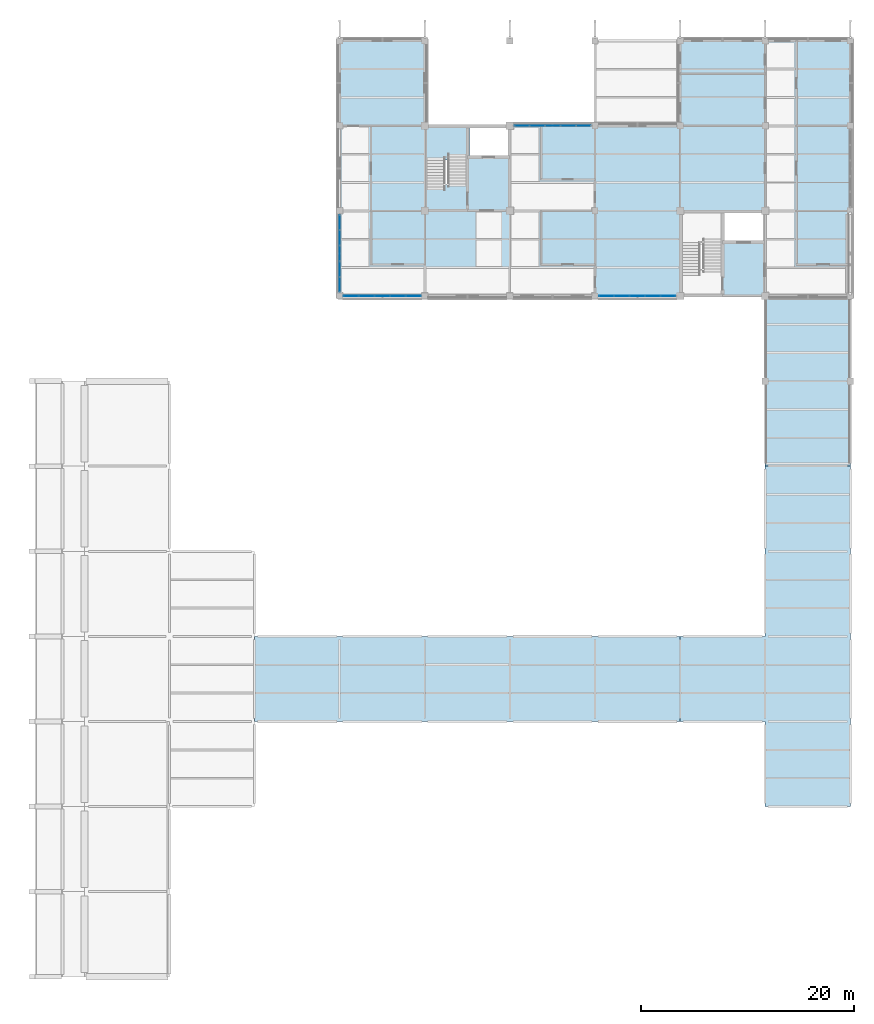
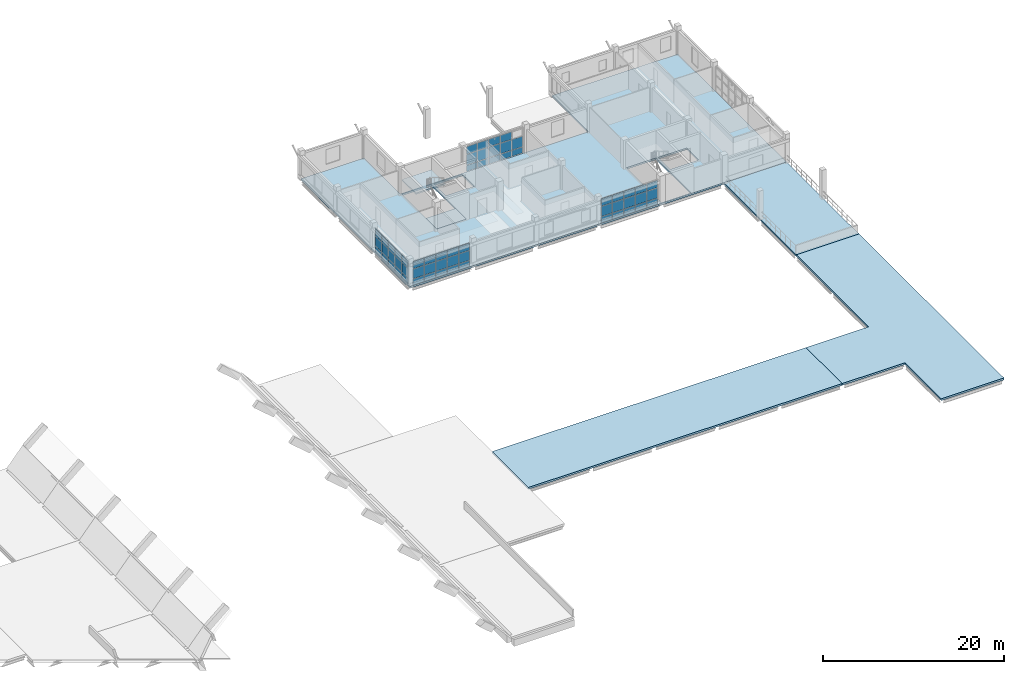
# One storey, part 17 of 35: 59 plates, 6 slabs, 5 elements without a shape of their own.
"""IFC4 building model written with IfcOpenShell, lengths in metres."""

import ifcopenshell
import ifcopenshell.guid

model = None  # the IFC model being written
_history = None  # IfcOwnerHistory: only IFC2X3 demands one
_inside = {}  # id of a spatial element -> (the spatial element, [elements in it])
_under = {}  # id of a project, library or spatial element -> (it, [spatial elements below it])
_declared = {}  # id of a project -> (the project, [libraries it declares])
_typed = {}  # id of a type object -> (the type object, [elements of that type])
_made_of = {}  # id of a material, layer set ... -> (it, [elements and type objects made of it])


def new_model(schema):
    """Start an empty IFC model of exactly this schema.

    Asked for "IFC4X3", IfcOpenShell would pick the latest addendum, in which some entities
    have other attributes; the version numbers below select the first issue.
    IFC2X3 requires an IfcOwnerHistory on every rooted entity: one is made here for all.
    """
    global model, _history
    if schema == "IFC4X3":
        model = ifcopenshell.file(schema_version=(4, 3, 0, 0))
    else:
        model = ifcopenshell.file(schema=schema)
    _inside.clear()
    _under.clear()
    _declared.clear()
    _typed.clear()
    _made_of.clear()
    _history = None
    if model.schema == "IFC2X3":
        org = make("IfcOrganization", Name="unknown")
        user = make(
            "IfcPersonAndOrganization",
            ThePerson=make("IfcPerson", FamilyName="unknown"),
            TheOrganization=org,
        )
        app = make(
            "IfcApplication",
            ApplicationDeveloper=org,
            Version="unknown",
            ApplicationFullName="unknown",
            ApplicationIdentifier="unknown",
        )
        _history = make(
            "IfcOwnerHistory",
            OwningUser=user,
            OwningApplication=app,
            ChangeAction="ADDED",
            CreationDate=0,
        )
    return model


def make(cls, **values):
    """One entity of the class cls with the attributes given. An attribute that is None is left unset."""
    return model.create_entity(
        cls, **{name: value for name, value in values.items() if value is not None}
    )


def rooted(cls, **values):
    """An entity with a GlobalId (a new one), such as an element, a storey or a relation."""
    return make(cls, GlobalId=ifcopenshell.guid.new(), OwnerHistory=_history, **values)


def si_unit(unit_type, name, prefix=None):
    """IfcSIUnit, for example si_unit("LENGTHUNIT", "METRE", prefix="MILLI")."""
    return make("IfcSIUnit", UnitType=unit_type, Prefix=prefix, Name=name)


def derived_unit(unit_type, elements):
    """IfcDerivedUnit: a product of units, each with its exponent."""
    return make(
        "IfcDerivedUnit",
        Elements=[
            make("IfcDerivedUnitElement", Unit=unit, Exponent=power)
            for unit, power in elements
        ],
        UnitType=unit_type,
    )


def assignment(units):
    """IfcUnitAssignment: the units of a project."""
    return None if units is None else make("IfcUnitAssignment", Units=units)


def point(xyz):
    """IfcCartesianPoint."""
    return None if xyz is None else make("IfcCartesianPoint", Coordinates=xyz)


def direction(xyz):
    """IfcDirection."""
    return None if xyz is None else make("IfcDirection", DirectionRatios=xyz)


def frame(location, z_axis=None, x_axis=None):
    """IfcAxis2Placement3D, a coordinate frame: its origin and axes. An axis left out is left unset."""
    return make(
        "IfcAxis2Placement3D",
        Location=point(location),
        Axis=direction(z_axis),
        RefDirection=direction(x_axis),
    )


def frame_2d(location, x_axis=None):
    """IfcAxis2Placement2D, a coordinate frame in the plane: its origin and x axis."""
    return make(
        "IfcAxis2Placement2D", Location=point(location), RefDirection=direction(x_axis)
    )


def origin():
    """The frame at (0, 0, 0) with its axes left unset."""
    return frame((0.0, 0.0, 0.0))


def origin_2d():
    """The frame at (0, 0) in the plane with its x axis left unset."""
    return frame_2d((0.0, 0.0))


def place(relative_to, where):
    """IfcLocalPlacement: puts the frame where relative to a parent placement (None: the world)."""
    return make(
        "IfcLocalPlacement", PlacementRelTo=relative_to, RelativePlacement=where
    )


def context(
    kind, dimensions, precision=None, world=None, true_north=None, identifier=None
):
    """IfcGeometricRepresentationContext, for example the 3D "Model" context."""
    return make(
        "IfcGeometricRepresentationContext",
        ContextIdentifier=identifier,
        ContextType=kind,
        CoordinateSpaceDimension=dimensions,
        Precision=precision,
        WorldCoordinateSystem=world,
        TrueNorth=true_north,
    )


def subcontext(parent, identifier, kind, view, scale=None):
    """IfcGeometricRepresentationSubContext, for example "Body" below "Model"."""
    return make(
        "IfcGeometricRepresentationSubContext",
        ContextIdentifier=identifier,
        ContextType=kind,
        ParentContext=parent,
        TargetScale=scale,
        TargetView=view,
    )


def project(units=None, contexts=None):
    """IfcProject with its units and contexts."""
    return rooted(
        "IfcProject",
        Name="project",
        RepresentationContexts=contexts,
        UnitsInContext=assignment(units),
    )


def spatial(cls, under=None, at=None, **own):
    """A site, building, storey or space (cls), placed at a placement, below another one or the project."""
    s = rooted(cls, ObjectPlacement=at, **own)
    if under is not None:
        _under.setdefault(under.id(), (under, []))[1].append(s)
    return s


def polyline(points):
    """IfcPolyline through the points."""
    return make("IfcPolyline", Points=[point(p) for p in points])


def profile(cls, at=None, kind="AREA", **sizes):
    """A parametric profile (cls). Its sizes go by their IFC names, for example OverallWidth=200.0."""
    return make(cls, ProfileType=kind, Position=at, **sizes)


def rectangle(**sizes):
    """IfcRectangleProfileDef."""
    return profile("IfcRectangleProfileDef", **sizes)


def outline(outer, holes=None, kind="AREA"):
    """IfcArbitraryClosedProfileDef: a profile drawn as a closed curve; with holes, ...WithVoids."""
    if holes is None:
        return make("IfcArbitraryClosedProfileDef", ProfileType=kind, OuterCurve=outer)
    return make(
        "IfcArbitraryProfileDefWithVoids",
        ProfileType=kind,
        OuterCurve=outer,
        InnerCurves=holes,
    )


def extrude(swept, where, along, depth):
    """IfcExtrudedAreaSolid: the profile swept, set in the frame where, extruded along a direction by depth."""
    return make(
        "IfcExtrudedAreaSolid",
        SweptArea=swept,
        Position=where,
        ExtrudedDirection=direction(along),
        Depth=depth,
    )


def shape(context_of_items, identifier, shape_type, items):
    """IfcShapeRepresentation: the items that make up one representation, for example the "Body"."""
    return make(
        "IfcShapeRepresentation",
        ContextOfItems=context_of_items,
        RepresentationIdentifier=identifier,
        RepresentationType=shape_type,
        Items=items,
    )


def material(Name=None, Category=None):
    """IfcMaterial."""
    return make("IfcMaterial", Name=Name, Category=Category)


def layer(
    of_material, thickness, ventilated=None, Name=None, Category=None, Priority=None
):
    """IfcMaterialLayer: one layer of a wall or slab, of a material (None: an air gap)."""
    return make(
        "IfcMaterialLayer",
        Material=of_material,
        LayerThickness=thickness,
        IsVentilated=ventilated,
        Name=Name,
        Category=Category,
        Priority=Priority,
    )


def layer_set(layers, Name=None):
    """IfcMaterialLayerSet."""
    return make("IfcMaterialLayerSet", MaterialLayers=layers, LayerSetName=Name)


def made_of(thing, what):
    """Note that an element or type object is made of a material, layer set ...; save() writes the relation."""
    if what is not None:
        _made_of.setdefault(what.id(), (what, []))[1].append(thing)
    return thing


def type_object(cls, material=None, **own):
    """A type object (cls), such as IfcWallType, which elements share."""
    return made_of(rooted(cls, **own), material)


def element(
    cls,
    number,
    at=None,
    inside=None,
    cuts=None,
    type_object=None,
    material=None,
    context=None,
    identifier="Body",
    shape_type=None,
    held_by="IfcProductDefinitionShape",
    body=None,
    shapes=None,
    **own,
):
    """One element of the class cls, such as IfcWall. Its Tag is "e" and its number.

    at: its placement. inside: the storey or other place that contains it. cuts: it is an
    opening in that element (IfcRelVoidsElement). A single representation is given by context,
    identifier, shape_type and body (its items); several are given by shapes. held_by: the class
    of the entity that holds the representations. save() writes the other relations.
    """
    e = rooted(cls, Tag="e%d" % number, ObjectPlacement=at, **own)
    if body is not None:
        shapes = [shape(context, identifier, shape_type, body)]
    if shapes is not None:
        e.Representation = make(held_by, Representations=shapes)
    if inside is not None:
        _inside.setdefault(inside.id(), (inside, []))[1].append(e)
    if cuts is not None:
        rooted(
            "IfcRelVoidsElement", RelatingBuildingElement=cuts, RelatedOpeningElement=e
        )
    if type_object is not None:
        _typed.setdefault(type_object.id(), (type_object, []))[1].append(e)
    return made_of(e, material)


def aggregate(whole, parts):
    """IfcRelAggregates: a whole, such as a stair, and the parts it consists of."""
    return rooted("IfcRelAggregates", RelatingObject=whole, RelatedObjects=parts)


def save(model, path):
    """Write the relations noted so far, then the file.

    IfcRelAggregates (storeys below a building ...), IfcRelContainedInSpatialStructure (elements
    in a storey), IfcRelDefinesByType, IfcRelAssociatesMaterial and IfcRelDeclares: one each for
    every whole, place, type object, material and project.
    """
    for whole, parts in _under.values():
        aggregate(whole, parts)
    for where, things in _inside.values():
        rooted(
            "IfcRelContainedInSpatialStructure",
            RelatedElements=things,
            RelatingStructure=where,
        )
    for kind, things in _typed.values():
        rooted("IfcRelDefinesByType", RelatedObjects=things, RelatingType=kind)
    for what, things in _made_of.values():
        rooted("IfcRelAssociatesMaterial", RelatedObjects=things, RelatingMaterial=what)
    for by, libraries in _declared.values():
        rooted("IfcRelDeclares", RelatingContext=by, RelatedDefinitions=libraries)
    model.write(path)


model = new_model("IFC4")

# Units and contexts
model_context = context("Model", 3, precision=1e-05, world=origin(), true_north=direction((0.0, 1.0)))
body_context = subcontext(model_context, "Body", "Model", "MODEL_VIEW")
ifc_project = project(units=[si_unit("LENGTHUNIT", "METRE"), si_unit("AREAUNIT", "SQUARE_METRE"), si_unit("VOLUMEUNIT", "CUBIC_METRE"), si_unit("PLANEANGLEUNIT", "RADIAN"), si_unit("MASSUNIT", "GRAM", prefix="KILO"), derived_unit("THERMALTRANSMITTANCEUNIT", [(si_unit("MASSUNIT", "GRAM", prefix="KILO"), 1), (si_unit("TIMEUNIT", "SECOND"), -3), (si_unit("THERMODYNAMICTEMPERATUREUNIT", "KELVIN"), -1)])], contexts=[model_context])

# Site, building, storey
site_placement = place(None, origin())
site = spatial("IfcSite", under=ifc_project, at=site_placement, CompositionType="ELEMENT")
building_placement = place(site_placement, origin())
building = spatial("IfcBuilding", under=site, at=building_placement, Name="Veyamyaing Civic Hall", CompositionType="ELEMENT")
storey_placement = place(building_placement, frame((0.0, 0.0, 21.780029296875)))
storey = spatial("IfcBuildingStorey", under=building, at=storey_placement, Name="L05", CompositionType="ELEMENT", Elevation=21.780029296875)

# Curtain wall, plates
ifc_material_1 = material(Name="Anodised aluminium 6063-T6", Category="aluminium")
ifc_layer_1 = layer(ifc_material_1, 0.159912109375, Name="Anodised aluminium 6063-T6")
ifc_layer_set_1 = layer_set([ifc_layer_1], Name="Anodised aluminium 6063-T6")
curtain_wall_type = type_object("IfcCurtainWallType", Name="CW-09", PredefinedType="NOTDEFINED", material=ifc_layer_set_1)
curtain_wall_1_placement = place(storey_placement, origin())
curtain_wall_1 = element("IfcCurtainWall", 1, at=curtain_wall_1_placement, inside=storey, type_object=curtain_wall_type, Name="Unitized curtain wall CW-09 L05 N 19.13", PredefinedType="NOTDEFINED")
ifc_material_2 = material(Name="Low-E insulated glass", Category="glass")
ifc_layer_2 = layer(ifc_material_2, 0.028076171875, Name="Low-E insulated glass")
ifc_layer_set_2 = layer_set([ifc_layer_2], Name="Low-E insulated glass")
plate_type_1 = type_object("IfcPlateType", Name="CWP-01", PredefinedType="CURTAIN_PANEL", material=ifc_layer_set_2)
plate_1_placement = place(storey_placement, frame((145.125244140625, 104.0, 0.06494140625), z_axis=(0.0, 0.0, 1.0), x_axis=(1.0, 0.0, 0.0)))
plate_1 = element("IfcPlate", 2, at=plate_1_placement, type_object=plate_type_1, Name="CW-09 panel 1.1", PredefinedType="CURTAIN_PANEL", context=body_context, shape_type="SweptSolid", body=[
    extrude(rectangle(XDim=1.360595703125, YDim=0.028076171875, at=origin_2d()), origin(), (0.0, 0.0, 1.0), 0.802490234375),
])
plate_2_placement = place(storey_placement, frame((145.125244140625, 104.0, 0.9326171875), z_axis=(0.0, 0.0, 1.0), x_axis=(1.0, 0.0, 0.0)))
plate_2 = element("IfcPlate", 3, at=plate_2_placement, type_object=plate_type_1, Name="CW-09 panel 1.2", PredefinedType="CURTAIN_PANEL", context=body_context, shape_type="SweptSolid", body=[
    extrude(rectangle(XDim=1.360595703125, YDim=0.028076171875, at=origin_2d()), origin(), (0.0, 0.0, 1.0), 1.393798828125),
])
plate_3_placement = place(storey_placement, frame((145.125244140625, 104.0, 2.391357421875), z_axis=(0.0, 0.0, 1.0), x_axis=(1.0, 0.0, 0.0)))
plate_3 = element("IfcPlate", 4, at=plate_3_placement, type_object=plate_type_1, Name="CW-09 panel 1.3", PredefinedType="CURTAIN_PANEL", context=body_context, shape_type="SweptSolid", body=[
    extrude(rectangle(XDim=1.360595703125, YDim=0.028076171875, at=origin_2d()), origin(), (0.0, 0.0, 1.0), 1.0126953125),
])
plate_4_placement = place(storey_placement, frame((146.56689453125, 104.0, 0.06494140625), z_axis=(0.0, 0.0, 1.0), x_axis=(1.0, 0.0, 0.0)))
plate_4 = element("IfcPlate", 5, at=plate_4_placement, type_object=plate_type_1, Name="CW-09 panel 2.1", PredefinedType="CURTAIN_PANEL", context=body_context, shape_type="SweptSolid", body=[
    extrude(rectangle(XDim=1.39306640625, YDim=0.028076171875, at=origin_2d()), origin(), (0.0, 0.0, 1.0), 0.802490234375),
])
plate_5_placement = place(storey_placement, frame((146.56689453125, 104.0, 0.9326171875), z_axis=(0.0, 0.0, 1.0), x_axis=(1.0, 0.0, 0.0)))
plate_5 = element("IfcPlate", 6, at=plate_5_placement, type_object=plate_type_1, Name="CW-09 panel 2.2", PredefinedType="CURTAIN_PANEL", context=body_context, shape_type="SweptSolid", body=[
    extrude(rectangle(XDim=1.39306640625, YDim=0.028076171875, at=origin_2d()), origin(), (0.0, 0.0, 1.0), 1.393798828125),
])
plate_6_placement = place(storey_placement, frame((146.56689453125, 104.0, 2.391357421875), z_axis=(0.0, 0.0, 1.0), x_axis=(1.0, 0.0, 0.0)))
plate_6 = element("IfcPlate", 7, at=plate_6_placement, type_object=plate_type_1, Name="CW-09 panel 2.3", PredefinedType="CURTAIN_PANEL", context=body_context, shape_type="SweptSolid", body=[
    extrude(rectangle(XDim=1.39306640625, YDim=0.028076171875, at=origin_2d()), origin(), (0.0, 0.0, 1.0), 1.0126953125),
])
plate_7_placement = place(storey_placement, frame((148.02490234375, 104.0, 0.06494140625), z_axis=(0.0, 0.0, 1.0), x_axis=(1.0, 0.0, 0.0)))
plate_7 = element("IfcPlate", 8, at=plate_7_placement, type_object=plate_type_1, Name="CW-09 panel 3.1", PredefinedType="CURTAIN_PANEL", context=body_context, shape_type="SweptSolid", body=[
    extrude(rectangle(XDim=1.39306640625, YDim=0.028076171875, at=origin_2d()), origin(), (0.0, 0.0, 1.0), 0.802490234375),
])
plate_8_placement = place(storey_placement, frame((148.02490234375, 104.0, 0.9326171875), z_axis=(0.0, 0.0, 1.0), x_axis=(1.0, 0.0, 0.0)))
plate_8 = element("IfcPlate", 9, at=plate_8_placement, type_object=plate_type_1, Name="CW-09 panel 3.2", PredefinedType="CURTAIN_PANEL", context=body_context, shape_type="SweptSolid", body=[
    extrude(rectangle(XDim=1.39306640625, YDim=0.028076171875, at=origin_2d()), origin(), (0.0, 0.0, 1.0), 1.393798828125),
])
plate_9_placement = place(storey_placement, frame((148.02490234375, 104.0, 2.391357421875), z_axis=(0.0, 0.0, 1.0), x_axis=(1.0, 0.0, 0.0)))
plate_9 = element("IfcPlate", 10, at=plate_9_placement, type_object=plate_type_1, Name="CW-09 panel 3.3", PredefinedType="CURTAIN_PANEL", context=body_context, shape_type="SweptSolid", body=[
    extrude(rectangle(XDim=1.39306640625, YDim=0.028076171875, at=origin_2d()), origin(), (0.0, 0.0, 1.0), 1.0126953125),
])
plate_10_placement = place(storey_placement, frame((149.48291015625, 104.0, 0.06494140625), z_axis=(0.0, 0.0, 1.0), x_axis=(1.0, 0.0, 0.0)))
plate_10 = element("IfcPlate", 11, at=plate_10_placement, type_object=plate_type_1, Name="CW-09 panel 4.1", PredefinedType="CURTAIN_PANEL", context=body_context, shape_type="SweptSolid", body=[
    extrude(rectangle(XDim=1.39306640625, YDim=0.028076171875, at=origin_2d()), origin(), (0.0, 0.0, 1.0), 0.802490234375),
])
plate_11_placement = place(storey_placement, frame((149.48291015625, 104.0, 0.9326171875), z_axis=(0.0, 0.0, 1.0), x_axis=(1.0, 0.0, 0.0)))
plate_11 = element("IfcPlate", 12, at=plate_11_placement, type_object=plate_type_1, Name="CW-09 panel 4.2", PredefinedType="CURTAIN_PANEL", context=body_context, shape_type="SweptSolid", body=[
    extrude(rectangle(XDim=1.39306640625, YDim=0.028076171875, at=origin_2d()), origin(), (0.0, 0.0, 1.0), 1.393798828125),
])
plate_12_placement = place(storey_placement, frame((149.48291015625, 104.0, 2.391357421875), z_axis=(0.0, 0.0, 1.0), x_axis=(1.0, 0.0, 0.0)))
plate_12 = element("IfcPlate", 13, at=plate_12_placement, type_object=plate_type_1, Name="CW-09 panel 4.3", PredefinedType="CURTAIN_PANEL", context=body_context, shape_type="SweptSolid", body=[
    extrude(rectangle(XDim=1.39306640625, YDim=0.028076171875, at=origin_2d()), origin(), (0.0, 0.0, 1.0), 1.0126953125),
])
plate_13_placement = place(storey_placement, frame((150.9248046875, 104.0, 0.06494140625), z_axis=(0.0, 0.0, 1.0), x_axis=(1.0, 0.0, 0.0)))
plate_13 = element("IfcPlate", 14, at=plate_13_placement, type_object=plate_type_1, Name="CW-09 panel 5.1", PredefinedType="CURTAIN_PANEL", context=body_context, shape_type="SweptSolid", body=[
    extrude(rectangle(XDim=1.360595703125, YDim=0.028076171875, at=origin_2d()), origin(), (0.0, 0.0, 1.0), 0.802490234375),
])
plate_14_placement = place(storey_placement, frame((150.9248046875, 104.0, 0.9326171875), z_axis=(0.0, 0.0, 1.0), x_axis=(1.0, 0.0, 0.0)))
plate_14 = element("IfcPlate", 15, at=plate_14_placement, type_object=plate_type_1, Name="CW-09 panel 5.2", PredefinedType="CURTAIN_PANEL", context=body_context, shape_type="SweptSolid", body=[
    extrude(rectangle(XDim=1.360595703125, YDim=0.028076171875, at=origin_2d()), origin(), (0.0, 0.0, 1.0), 1.393798828125),
])
aggregate(curtain_wall_1, [plate_1, plate_2, plate_3, plate_4, plate_5, plate_6, plate_7, plate_8, plate_9, plate_10, plate_11, plate_12, plate_13, plate_14])

curtain_wall_2_placement = place(storey_placement, origin())
curtain_wall_2 = element("IfcCurtainWall", 16, at=curtain_wall_2_placement, inside=storey, type_object=curtain_wall_type, Name="Unitized curtain wall CW-09 L05 S 20.12", PredefinedType="NOTDEFINED")
plate_15_placement = place(storey_placement, frame((153.0751953125, 88.0, 0.06494140625), z_axis=(0.0, 0.0, 1.0), x_axis=(1.0, 0.0, 0.0)))
plate_15 = element("IfcPlate", 17, at=plate_15_placement, type_object=plate_type_1, Name="CW-09 panel 1.1", PredefinedType="CURTAIN_PANEL", context=body_context, shape_type="SweptSolid", body=[
    extrude(rectangle(XDim=1.360595703125, YDim=0.028076171875, at=origin_2d()), origin(), (0.0, 0.0, 1.0), 0.802490234375),
])
plate_16_placement = place(storey_placement, frame((153.0751953125, 88.0, 0.9326171875), z_axis=(0.0, 0.0, 1.0), x_axis=(1.0, 0.0, 0.0)))
plate_16 = element("IfcPlate", 18, at=plate_16_placement, type_object=plate_type_1, Name="CW-09 panel 1.2", PredefinedType="CURTAIN_PANEL", context=body_context, shape_type="SweptSolid", body=[
    extrude(rectangle(XDim=1.360595703125, YDim=0.028076171875, at=origin_2d()), origin(), (0.0, 0.0, 1.0), 1.327880859375),
])
plate_17_placement = place(storey_placement, frame((153.0751953125, 88.0, 2.325439453125), z_axis=(0.0, 0.0, 1.0), x_axis=(1.0, 0.0, 0.0)))
plate_17 = element("IfcPlate", 19, at=plate_17_placement, type_object=plate_type_1, Name="CW-09 panel 1.3", PredefinedType="CURTAIN_PANEL", context=body_context, shape_type="SweptSolid", body=[
    extrude(rectangle(XDim=1.360595703125, YDim=0.028076171875, at=origin_2d()), origin(), (0.0, 0.0, 1.0), 0.9814453125),
])
plate_18_placement = place(storey_placement, frame((154.51708984375, 88.0, 0.06494140625), z_axis=(0.0, 0.0, 1.0), x_axis=(1.0, 0.0, 0.0)))
plate_18 = element("IfcPlate", 20, at=plate_18_placement, type_object=plate_type_1, Name="CW-09 panel 2.1", PredefinedType="CURTAIN_PANEL", context=body_context, shape_type="SweptSolid", body=[
    extrude(rectangle(XDim=1.39306640625, YDim=0.028076171875, at=origin_2d()), origin(), (0.0, 0.0, 1.0), 0.802490234375),
])
plate_19_placement = place(storey_placement, frame((154.51708984375, 88.0, 0.9326171875), z_axis=(0.0, 0.0, 1.0), x_axis=(1.0, 0.0, 0.0)))
plate_19 = element("IfcPlate", 21, at=plate_19_placement, type_object=plate_type_1, Name="CW-09 panel 2.2", PredefinedType="CURTAIN_PANEL", context=body_context, shape_type="SweptSolid", body=[
    extrude(rectangle(XDim=1.39306640625, YDim=0.028076171875, at=origin_2d()), origin(), (0.0, 0.0, 1.0), 1.327880859375),
])
plate_20_placement = place(storey_placement, frame((154.51708984375, 88.0, 2.325439453125), z_axis=(0.0, 0.0, 1.0), x_axis=(1.0, 0.0, 0.0)))
plate_20 = element("IfcPlate", 22, at=plate_20_placement, type_object=plate_type_1, Name="CW-09 panel 2.3", PredefinedType="CURTAIN_PANEL", context=body_context, shape_type="SweptSolid", body=[
    extrude(rectangle(XDim=1.39306640625, YDim=0.028076171875, at=origin_2d()), origin(), (0.0, 0.0, 1.0), 0.9814453125),
])
plate_21_placement = place(storey_placement, frame((155.97509765625, 88.0, 0.06494140625), z_axis=(0.0, 0.0, 1.0), x_axis=(1.0, 0.0, 0.0)))
plate_21 = element("IfcPlate", 23, at=plate_21_placement, type_object=plate_type_1, Name="CW-09 panel 3.1", PredefinedType="CURTAIN_PANEL", context=body_context, shape_type="SweptSolid", body=[
    extrude(rectangle(XDim=1.39306640625, YDim=0.028076171875, at=origin_2d()), origin(), (0.0, 0.0, 1.0), 0.802490234375),
])
plate_22_placement = place(storey_placement, frame((155.97509765625, 88.0, 0.9326171875), z_axis=(0.0, 0.0, 1.0), x_axis=(1.0, 0.0, 0.0)))
plate_22 = element("IfcPlate", 24, at=plate_22_placement, type_object=plate_type_1, Name="CW-09 panel 3.2", PredefinedType="CURTAIN_PANEL", context=body_context, shape_type="SweptSolid", body=[
    extrude(rectangle(XDim=1.39306640625, YDim=0.028076171875, at=origin_2d()), origin(), (0.0, 0.0, 1.0), 1.327880859375),
])
plate_23_placement = place(storey_placement, frame((155.97509765625, 88.0, 2.325439453125), z_axis=(0.0, 0.0, 1.0), x_axis=(1.0, 0.0, 0.0)))
plate_23 = element("IfcPlate", 25, at=plate_23_placement, type_object=plate_type_1, Name="CW-09 panel 3.3", PredefinedType="CURTAIN_PANEL", context=body_context, shape_type="SweptSolid", body=[
    extrude(rectangle(XDim=1.39306640625, YDim=0.028076171875, at=origin_2d()), origin(), (0.0, 0.0, 1.0), 0.9814453125),
])
plate_24_placement = place(storey_placement, frame((157.43310546875, 88.0, 0.06494140625), z_axis=(0.0, 0.0, 1.0), x_axis=(1.0, 0.0, 0.0)))
plate_24 = element("IfcPlate", 26, at=plate_24_placement, type_object=plate_type_1, Name="CW-09 panel 4.1", PredefinedType="CURTAIN_PANEL", context=body_context, shape_type="SweptSolid", body=[
    extrude(rectangle(XDim=1.39306640625, YDim=0.028076171875, at=origin_2d()), origin(), (0.0, 0.0, 1.0), 0.802490234375),
])
plate_25_placement = place(storey_placement, frame((157.43310546875, 88.0, 0.9326171875), z_axis=(0.0, 0.0, 1.0), x_axis=(1.0, 0.0, 0.0)))
plate_25 = element("IfcPlate", 27, at=plate_25_placement, type_object=plate_type_1, Name="CW-09 panel 4.2", PredefinedType="CURTAIN_PANEL", context=body_context, shape_type="SweptSolid", body=[
    extrude(rectangle(XDim=1.39306640625, YDim=0.028076171875, at=origin_2d()), origin(), (0.0, 0.0, 1.0), 1.327880859375),
])
plate_26_placement = place(storey_placement, frame((157.43310546875, 88.0, 2.325439453125), z_axis=(0.0, 0.0, 1.0), x_axis=(1.0, 0.0, 0.0)))
plate_26 = element("IfcPlate", 28, at=plate_26_placement, type_object=plate_type_1, Name="CW-09 panel 4.3", PredefinedType="CURTAIN_PANEL", context=body_context, shape_type="SweptSolid", body=[
    extrude(rectangle(XDim=1.39306640625, YDim=0.028076171875, at=origin_2d()), origin(), (0.0, 0.0, 1.0), 0.9814453125),
])
plate_27_placement = place(storey_placement, frame((158.874755859375, 88.0, 0.06494140625), z_axis=(0.0, 0.0, 1.0), x_axis=(1.0, 0.0, 0.0)))
plate_27 = element("IfcPlate", 29, at=plate_27_placement, type_object=plate_type_1, Name="CW-09 panel 5.1", PredefinedType="CURTAIN_PANEL", context=body_context, shape_type="SweptSolid", body=[
    extrude(rectangle(XDim=1.360595703125, YDim=0.028076171875, at=origin_2d()), origin(), (0.0, 0.0, 1.0), 0.802490234375),
])
plate_28_placement = place(storey_placement, frame((158.874755859375, 88.0, 0.9326171875), z_axis=(0.0, 0.0, 1.0), x_axis=(1.0, 0.0, 0.0)))
plate_28 = element("IfcPlate", 30, at=plate_28_placement, type_object=plate_type_1, Name="CW-09 panel 5.2", PredefinedType="CURTAIN_PANEL", context=body_context, shape_type="SweptSolid", body=[
    extrude(rectangle(XDim=1.360595703125, YDim=0.028076171875, at=origin_2d()), origin(), (0.0, 0.0, 1.0), 1.327880859375),
])
plate_29_placement = place(storey_placement, frame((158.874755859375, 88.0, 2.325439453125), z_axis=(0.0, 0.0, 1.0), x_axis=(1.0, 0.0, 0.0)))
plate_29 = element("IfcPlate", 31, at=plate_29_placement, type_object=plate_type_1, Name="CW-09 panel 5.3", PredefinedType="CURTAIN_PANEL", context=body_context, shape_type="SweptSolid", body=[
    extrude(rectangle(XDim=1.360595703125, YDim=0.028076171875, at=origin_2d()), origin(), (0.0, 0.0, 1.0), 0.9814453125),
])
aggregate(curtain_wall_2, [plate_15, plate_16, plate_17, plate_18, plate_19, plate_20, plate_21, plate_22, plate_23, plate_24, plate_25, plate_26, plate_27, plate_28, plate_29])

curtain_wall_3_placement = place(storey_placement, origin())
curtain_wall_3 = element("IfcCurtainWall", 32, at=curtain_wall_3_placement, inside=storey, type_object=curtain_wall_type, Name="Unitized curtain wall CW-09 L05 S 17.12", PredefinedType="NOTDEFINED")
ifc_layer_3 = layer(ifc_material_2, 0.02392578125, Name="Low-E insulated glass")
ifc_layer_set_3 = layer_set([ifc_layer_3], Name="Low-E insulated glass")
plate_type_2 = type_object("IfcPlateType", Name="CWP-04", PredefinedType="CURTAIN_PANEL", material=ifc_layer_set_3)
plate_30_placement = place(storey_placement, frame((129.080322265625, 88.0, 0.06494140625), z_axis=(0.0, 0.0, 1.0), x_axis=(1.0, 0.0, 0.0)))
plate_30 = element("IfcPlate", 33, at=plate_30_placement, type_object=plate_type_2, Name="CW-09 panel 1.1", PredefinedType="CURTAIN_PANEL", context=body_context, shape_type="SweptSolid", body=[
    extrude(rectangle(XDim=1.37060546875, YDim=0.02392578125, at=origin_2d()), origin(), (0.0, 0.0, 1.0), 0.802490234375),
])
plate_31_placement = place(storey_placement, frame((129.080322265625, 88.0, 0.9326171875), z_axis=(0.0, 0.0, 1.0), x_axis=(1.0, 0.0, 0.0)))
plate_31 = element("IfcPlate", 34, at=plate_31_placement, type_object=plate_type_2, Name="CW-09 panel 1.2", PredefinedType="CURTAIN_PANEL", context=body_context, shape_type="SweptSolid", body=[
    extrude(rectangle(XDim=1.37060546875, YDim=0.02392578125, at=origin_2d()), origin(), (0.0, 0.0, 1.0), 1.282470703125),
])
plate_32_placement = place(storey_placement, frame((129.080322265625, 88.0, 2.27978515625), z_axis=(0.0, 0.0, 1.0), x_axis=(1.0, 0.0, 0.0)))
plate_32 = element("IfcPlate", 35, at=plate_32_placement, type_object=plate_type_2, Name="CW-09 panel 1.3", PredefinedType="CURTAIN_PANEL", context=body_context, shape_type="SweptSolid", body=[
    extrude(rectangle(XDim=1.37060546875, YDim=0.02392578125, at=origin_2d()), origin(), (0.0, 0.0, 1.0), 0.960205078125),
])
plate_33_placement = place(storey_placement, frame((130.531982421875, 88.0, 0.06494140625), z_axis=(0.0, 0.0, 1.0), x_axis=(1.0, 0.0, 0.0)))
plate_33 = element("IfcPlate", 36, at=plate_33_placement, type_object=plate_type_2, Name="CW-09 panel 2.1", PredefinedType="CURTAIN_PANEL", context=body_context, shape_type="SweptSolid", body=[
    extrude(rectangle(XDim=1.403076171875, YDim=0.02392578125, at=origin_2d()), origin(), (0.0, 0.0, 1.0), 0.802490234375),
])
plate_34_placement = place(storey_placement, frame((130.531982421875, 88.0, 0.9326171875), z_axis=(0.0, 0.0, 1.0), x_axis=(1.0, 0.0, 0.0)))
plate_34 = element("IfcPlate", 37, at=plate_34_placement, type_object=plate_type_2, Name="CW-09 panel 2.2", PredefinedType="CURTAIN_PANEL", context=body_context, shape_type="SweptSolid", body=[
    extrude(rectangle(XDim=1.403076171875, YDim=0.02392578125, at=origin_2d()), origin(), (0.0, 0.0, 1.0), 1.282470703125),
])
plate_35_placement = place(storey_placement, frame((130.531982421875, 88.0, 2.27978515625), z_axis=(0.0, 0.0, 1.0), x_axis=(1.0, 0.0, 0.0)))
plate_35 = element("IfcPlate", 38, at=plate_35_placement, type_object=plate_type_2, Name="CW-09 panel 2.3", PredefinedType="CURTAIN_PANEL", context=body_context, shape_type="SweptSolid", body=[
    extrude(rectangle(XDim=1.403076171875, YDim=0.02392578125, at=origin_2d()), origin(), (0.0, 0.0, 1.0), 0.960205078125),
])
plate_36_placement = place(storey_placement, frame((132.0, 88.0, 0.06494140625), z_axis=(0.0, 0.0, 1.0), x_axis=(1.0, 0.0, 0.0)))
plate_36 = element("IfcPlate", 39, at=plate_36_placement, type_object=plate_type_2, Name="CW-09 panel 3.1", PredefinedType="CURTAIN_PANEL", context=body_context, shape_type="SweptSolid", body=[
    extrude(rectangle(XDim=1.403076171875, YDim=0.02392578125, at=origin_2d()), origin(), (0.0, 0.0, 1.0), 0.802490234375),
])
plate_37_placement = place(storey_placement, frame((132.0, 88.0, 0.9326171875), z_axis=(0.0, 0.0, 1.0), x_axis=(1.0, 0.0, 0.0)))
plate_37 = element("IfcPlate", 40, at=plate_37_placement, type_object=plate_type_2, Name="CW-09 panel 3.2", PredefinedType="CURTAIN_PANEL", context=body_context, shape_type="SweptSolid", body=[
    extrude(rectangle(XDim=1.403076171875, YDim=0.02392578125, at=origin_2d()), origin(), (0.0, 0.0, 1.0), 1.282470703125),
])
plate_38_placement = place(storey_placement, frame((132.0, 88.0, 2.27978515625), z_axis=(0.0, 0.0, 1.0), x_axis=(1.0, 0.0, 0.0)))
plate_38 = element("IfcPlate", 41, at=plate_38_placement, type_object=plate_type_2, Name="CW-09 panel 3.3", PredefinedType="CURTAIN_PANEL", context=body_context, shape_type="SweptSolid", body=[
    extrude(rectangle(XDim=1.403076171875, YDim=0.02392578125, at=origin_2d()), origin(), (0.0, 0.0, 1.0), 0.960205078125),
])
plate_39_placement = place(storey_placement, frame((133.468017578125, 88.0, 0.06494140625), z_axis=(0.0, 0.0, 1.0), x_axis=(1.0, 0.0, 0.0)))
plate_39 = element("IfcPlate", 42, at=plate_39_placement, type_object=plate_type_2, Name="CW-09 panel 4.1", PredefinedType="CURTAIN_PANEL", context=body_context, shape_type="SweptSolid", body=[
    extrude(rectangle(XDim=1.403076171875, YDim=0.02392578125, at=origin_2d()), origin(), (0.0, 0.0, 1.0), 0.802490234375),
])
plate_40_placement = place(storey_placement, frame((133.468017578125, 88.0, 0.9326171875), z_axis=(0.0, 0.0, 1.0), x_axis=(1.0, 0.0, 0.0)))
plate_40 = element("IfcPlate", 43, at=plate_40_placement, type_object=plate_type_2, Name="CW-09 panel 4.2", PredefinedType="CURTAIN_PANEL", context=body_context, shape_type="SweptSolid", body=[
    extrude(rectangle(XDim=1.403076171875, YDim=0.02392578125, at=origin_2d()), origin(), (0.0, 0.0, 1.0), 1.282470703125),
])
plate_41_placement = place(storey_placement, frame((133.468017578125, 88.0, 2.27978515625), z_axis=(0.0, 0.0, 1.0), x_axis=(1.0, 0.0, 0.0)))
plate_41 = element("IfcPlate", 44, at=plate_41_placement, type_object=plate_type_2, Name="CW-09 panel 4.3", PredefinedType="CURTAIN_PANEL", context=body_context, shape_type="SweptSolid", body=[
    extrude(rectangle(XDim=1.403076171875, YDim=0.02392578125, at=origin_2d()), origin(), (0.0, 0.0, 1.0), 0.960205078125),
])
plate_42_placement = place(storey_placement, frame((134.919677734375, 88.0, 0.06494140625), z_axis=(0.0, 0.0, 1.0), x_axis=(1.0, 0.0, 0.0)))
plate_42 = element("IfcPlate", 45, at=plate_42_placement, type_object=plate_type_2, Name="CW-09 panel 5.1", PredefinedType="CURTAIN_PANEL", context=body_context, shape_type="SweptSolid", body=[
    extrude(rectangle(XDim=1.37060546875, YDim=0.02392578125, at=origin_2d()), origin(), (0.0, 0.0, 1.0), 0.802490234375),
])
plate_43_placement = place(storey_placement, frame((134.919677734375, 88.0, 0.9326171875), z_axis=(0.0, 0.0, 1.0), x_axis=(1.0, 0.0, 0.0)))
plate_43 = element("IfcPlate", 46, at=plate_43_placement, type_object=plate_type_2, Name="CW-09 panel 5.2", PredefinedType="CURTAIN_PANEL", context=body_context, shape_type="SweptSolid", body=[
    extrude(rectangle(XDim=1.37060546875, YDim=0.02392578125, at=origin_2d()), origin(), (0.0, 0.0, 1.0), 1.282470703125),
])
plate_44_placement = place(storey_placement, frame((134.919677734375, 88.0, 2.27978515625), z_axis=(0.0, 0.0, 1.0), x_axis=(1.0, 0.0, 0.0)))
plate_44 = element("IfcPlate", 47, at=plate_44_placement, type_object=plate_type_2, Name="CW-09 panel 5.3", PredefinedType="CURTAIN_PANEL", context=body_context, shape_type="SweptSolid", body=[
    extrude(rectangle(XDim=1.37060546875, YDim=0.02392578125, at=origin_2d()), origin(), (0.0, 0.0, 1.0), 0.960205078125),
])
aggregate(curtain_wall_3, [plate_30, plate_31, plate_32, plate_33, plate_34, plate_35, plate_36, plate_37, plate_38, plate_39, plate_40, plate_41, plate_42, plate_43, plate_44])

curtain_wall_4_placement = place(storey_placement, origin())
curtain_wall_4 = element("IfcCurtainWall", 48, at=curtain_wall_4_placement, inside=storey, type_object=curtain_wall_type, Name="Unitized curtain wall CW-09 L05 W 17.12", PredefinedType="NOTDEFINED")
plate_45_placement = place(storey_placement, frame((128.0, 89.080322265625, 0.06494140625), z_axis=(0.0, 0.0, 1.0), x_axis=(0.0, 1.0, 0.0)))
plate_45 = element("IfcPlate", 49, at=plate_45_placement, type_object=plate_type_2, Name="CW-09 panel 1.1", PredefinedType="CURTAIN_PANEL", context=body_context, shape_type="SweptSolid", body=[
    extrude(rectangle(XDim=1.37060546875, YDim=0.02392578125, at=origin_2d()), origin(), (0.0, 0.0, 1.0), 0.802490234375),
])
plate_46_placement = place(storey_placement, frame((128.0, 89.080322265625, 0.9326171875), z_axis=(0.0, 0.0, 1.0), x_axis=(0.0, 1.0, 0.0)))
plate_46 = element("IfcPlate", 50, at=plate_46_placement, type_object=plate_type_2, Name="CW-09 panel 1.2", PredefinedType="CURTAIN_PANEL", context=body_context, shape_type="SweptSolid", body=[
    extrude(rectangle(XDim=1.37060546875, YDim=0.02392578125, at=origin_2d()), origin(), (0.0, 0.0, 1.0), 1.282470703125),
])
plate_47_placement = place(storey_placement, frame((128.0, 89.080322265625, 2.27978515625), z_axis=(0.0, 0.0, 1.0), x_axis=(0.0, 1.0, 0.0)))
plate_47 = element("IfcPlate", 51, at=plate_47_placement, type_object=plate_type_2, Name="CW-09 panel 1.3", PredefinedType="CURTAIN_PANEL", context=body_context, shape_type="SweptSolid", body=[
    extrude(rectangle(XDim=1.37060546875, YDim=0.02392578125, at=origin_2d()), origin(), (0.0, 0.0, 1.0), 0.960205078125),
])
plate_48_placement = place(storey_placement, frame((128.0, 90.531982421875, 0.06494140625), z_axis=(0.0, 0.0, 1.0), x_axis=(0.0, 1.0, 0.0)))
plate_48 = element("IfcPlate", 52, at=plate_48_placement, type_object=plate_type_2, Name="CW-09 panel 2.1", PredefinedType="CURTAIN_PANEL", context=body_context, shape_type="SweptSolid", body=[
    extrude(rectangle(XDim=1.403076171875, YDim=0.02392578125, at=origin_2d()), origin(), (0.0, 0.0, 1.0), 0.802490234375),
])
plate_49_placement = place(storey_placement, frame((128.0, 90.531982421875, 0.9326171875), z_axis=(0.0, 0.0, 1.0), x_axis=(0.0, 1.0, 0.0)))
plate_49 = element("IfcPlate", 53, at=plate_49_placement, type_object=plate_type_2, Name="CW-09 panel 2.2", PredefinedType="CURTAIN_PANEL", context=body_context, shape_type="SweptSolid", body=[
    extrude(rectangle(XDim=1.403076171875, YDim=0.02392578125, at=origin_2d()), origin(), (0.0, 0.0, 1.0), 1.282470703125),
])
plate_50_placement = place(storey_placement, frame((128.0, 90.531982421875, 2.27978515625), z_axis=(0.0, 0.0, 1.0), x_axis=(0.0, 1.0, 0.0)))
plate_50 = element("IfcPlate", 54, at=plate_50_placement, type_object=plate_type_2, Name="CW-09 panel 2.3", PredefinedType="CURTAIN_PANEL", context=body_context, shape_type="SweptSolid", body=[
    extrude(rectangle(XDim=1.403076171875, YDim=0.02392578125, at=origin_2d()), origin(), (0.0, 0.0, 1.0), 0.960205078125),
])
plate_51_placement = place(storey_placement, frame((128.0, 92.0, 0.06494140625), z_axis=(0.0, 0.0, 1.0), x_axis=(0.0, 1.0, 0.0)))
plate_51 = element("IfcPlate", 55, at=plate_51_placement, type_object=plate_type_2, Name="CW-09 panel 3.1", PredefinedType="CURTAIN_PANEL", context=body_context, shape_type="SweptSolid", body=[
    extrude(rectangle(XDim=1.403076171875, YDim=0.02392578125, at=origin_2d()), origin(), (0.0, 0.0, 1.0), 0.802490234375),
])
plate_52_placement = place(storey_placement, frame((128.0, 92.0, 0.9326171875), z_axis=(0.0, 0.0, 1.0), x_axis=(0.0, 1.0, 0.0)))
plate_52 = element("IfcPlate", 56, at=plate_52_placement, type_object=plate_type_2, Name="CW-09 panel 3.2", PredefinedType="CURTAIN_PANEL", context=body_context, shape_type="SweptSolid", body=[
    extrude(rectangle(XDim=1.403076171875, YDim=0.02392578125, at=origin_2d()), origin(), (0.0, 0.0, 1.0), 1.282470703125),
])
plate_53_placement = place(storey_placement, frame((128.0, 92.0, 2.27978515625), z_axis=(0.0, 0.0, 1.0), x_axis=(0.0, 1.0, 0.0)))
plate_53 = element("IfcPlate", 57, at=plate_53_placement, type_object=plate_type_2, Name="CW-09 panel 3.3", PredefinedType="CURTAIN_PANEL", context=body_context, shape_type="SweptSolid", body=[
    extrude(rectangle(XDim=1.403076171875, YDim=0.02392578125, at=origin_2d()), origin(), (0.0, 0.0, 1.0), 0.960205078125),
])
plate_54_placement = place(storey_placement, frame((128.0, 93.468017578125, 0.06494140625), z_axis=(0.0, 0.0, 1.0), x_axis=(0.0, 1.0, 0.0)))
plate_54 = element("IfcPlate", 58, at=plate_54_placement, type_object=plate_type_2, Name="CW-09 panel 4.1", PredefinedType="CURTAIN_PANEL", context=body_context, shape_type="SweptSolid", body=[
    extrude(rectangle(XDim=1.403076171875, YDim=0.02392578125, at=origin_2d()), origin(), (0.0, 0.0, 1.0), 0.802490234375),
])
plate_55_placement = place(storey_placement, frame((128.0, 93.468017578125, 0.9326171875), z_axis=(0.0, 0.0, 1.0), x_axis=(0.0, 1.0, 0.0)))
plate_55 = element("IfcPlate", 59, at=plate_55_placement, type_object=plate_type_2, Name="CW-09 panel 4.2", PredefinedType="CURTAIN_PANEL", context=body_context, shape_type="SweptSolid", body=[
    extrude(rectangle(XDim=1.403076171875, YDim=0.02392578125, at=origin_2d()), origin(), (0.0, 0.0, 1.0), 1.282470703125),
])
plate_56_placement = place(storey_placement, frame((128.0, 93.468017578125, 2.27978515625), z_axis=(0.0, 0.0, 1.0), x_axis=(0.0, 1.0, 0.0)))
plate_56 = element("IfcPlate", 60, at=plate_56_placement, type_object=plate_type_2, Name="CW-09 panel 4.3", PredefinedType="CURTAIN_PANEL", context=body_context, shape_type="SweptSolid", body=[
    extrude(rectangle(XDim=1.403076171875, YDim=0.02392578125, at=origin_2d()), origin(), (0.0, 0.0, 1.0), 0.960205078125),
])
plate_57_placement = place(storey_placement, frame((128.0, 94.919677734375, 0.06494140625), z_axis=(0.0, 0.0, 1.0), x_axis=(0.0, 1.0, 0.0)))
plate_57 = element("IfcPlate", 61, at=plate_57_placement, type_object=plate_type_2, Name="CW-09 panel 5.1", PredefinedType="CURTAIN_PANEL", context=body_context, shape_type="SweptSolid", body=[
    extrude(rectangle(XDim=1.37060546875, YDim=0.02392578125, at=origin_2d()), origin(), (0.0, 0.0, 1.0), 0.802490234375),
])
plate_58_placement = place(storey_placement, frame((128.0, 94.919677734375, 0.9326171875), z_axis=(0.0, 0.0, 1.0), x_axis=(0.0, 1.0, 0.0)))
plate_58 = element("IfcPlate", 62, at=plate_58_placement, type_object=plate_type_2, Name="CW-09 panel 5.2", PredefinedType="CURTAIN_PANEL", context=body_context, shape_type="SweptSolid", body=[
    extrude(rectangle(XDim=1.37060546875, YDim=0.02392578125, at=origin_2d()), origin(), (0.0, 0.0, 1.0), 1.282470703125),
])
plate_59_placement = place(storey_placement, frame((128.0, 94.919677734375, 2.27978515625), z_axis=(0.0, 0.0, 1.0), x_axis=(0.0, 1.0, 0.0)))
plate_59 = element("IfcPlate", 63, at=plate_59_placement, type_object=plate_type_2, Name="CW-09 panel 5.3", PredefinedType="CURTAIN_PANEL", context=body_context, shape_type="SweptSolid", body=[
    extrude(rectangle(XDim=1.37060546875, YDim=0.02392578125, at=origin_2d()), origin(), (0.0, 0.0, 1.0), 0.960205078125),
])
aggregate(curtain_wall_4, [plate_45, plate_46, plate_47, plate_48, plate_49, plate_50, plate_51, plate_52, plate_53, plate_54, plate_55, plate_56, plate_57, plate_58, plate_59])

# Slabs
ifc_material_3 = material(Name="Concrete C40/50", Category="concrete")
ifc_layer_4 = layer(ifc_material_3, 0.22509765625, Name="Concrete C40/50")
ifc_layer_set_4 = layer_set([ifc_layer_4], Name="Concrete C40/50")
slab_type_1 = type_object("IfcSlabType", Name="SL-07", PredefinedType="FLOOR", material=ifc_layer_set_4)
slab_1_placement = place(storey_placement, frame((0.0, 0.0, -0.22509765625)))
element("IfcSlab", 64, at=slab_1_placement, inside=storey, type_object=slab_type_1, Name="Floor slab SL-07 L05 V4NE.1", PredefinedType="FLOOR", context=body_context, shape_type="SweptSolid", body=[
    extrude(outline(polyline([(128.0, 112.0), (136.0, 112.0), (136.0, 104.0), (160.0, 104.0), (160.0, 112.0), (176.0, 112.0), (176.0, 88.0), (128.0, 88.0), (128.0, 112.0)]), holes=[polyline([(160.139892578125, 95.860107421875), (160.139892578125, 88.139892578125), (163.909912109375, 88.139892578125), (163.909912109375, 95.860107421875), (160.139892578125, 95.860107421875)]), polyline([(164.179931640625, 95.820068359375), (164.179931640625, 93.179931640625), (167.820068359375, 93.179931640625), (167.820068359375, 95.820068359375), (164.179931640625, 95.820068359375)]), polyline([(136.139892578125, 103.860107421875), (136.139892578125, 96.139892578125), (139.909912109375, 96.139892578125), (139.909912109375, 103.860107421875), (136.139892578125, 103.860107421875)]), polyline([(140.179931640625, 103.820068359375), (140.179931640625, 101.179931640625), (143.820068359375, 101.179931640625), (143.820068359375, 103.820068359375), (140.179931640625, 103.820068359375)])]), origin(), (0.0, 0.0, 1.0), 0.22509765625),
])
ifc_layer_5 = layer(ifc_material_3, 0.22998046875, Name="Concrete C40/50")
ifc_layer_set_5 = layer_set([ifc_layer_5], Name="Concrete C40/50")
slab_type_2 = type_object("IfcSlabType", Name="SL-08", PredefinedType="ROOF", material=ifc_layer_set_5)
slab_2_placement = place(storey_placement, frame((0.0, 0.0, -0.22998046875)))
element("IfcSlab", 65, at=slab_2_placement, inside=storey, type_object=slab_type_2, Name="Terrace slab SL-08 L05 V4SE.1", PredefinedType="ROOF", context=body_context, shape_type="SweptSolid", body=[
    extrude(outline(polyline([(168.0, 72.0), (168.0, 88.0), (176.0, 88.0), (176.0, 72.0), (168.0, 72.0)])), origin(), (0.0, 0.0, 1.0), 0.22998046875),
])
ifc_layer_6 = layer(ifc_material_3, 0.25, Name="Concrete C40/50")
ifc_layer_set_6 = layer_set([ifc_layer_6], Name="Concrete C40/50")
slab_type_3 = type_object("IfcSlabType", Name="SL-10", PredefinedType="ROOF", material=ifc_layer_set_6)
slab_3_placement = place(storey_placement, frame((0.0, 0.0, -0.25)))
element("IfcSlab", 66, at=slab_3_placement, inside=storey, type_object=slab_type_3, Name="Roof slab SL-10 L05 LNKE.1", PredefinedType="ROOF", context=body_context, shape_type="SweptSolid", body=[
    extrude(outline(polyline([(120.0, 56.0), (160.0, 56.0), (160.0, 48.0), (120.0, 48.0), (120.0, 56.0)])), origin(), (0.0, 0.0, 1.0), 0.25),
])
slab_4_placement = place(storey_placement, frame((0.0, 0.0, -0.25)))
element("IfcSlab", 67, at=slab_4_placement, inside=storey, type_object=slab_type_3, Name="Roof slab SL-10 L05 V4SE.1", PredefinedType="ROOF", context=body_context, shape_type="SweptSolid", body=[
    extrude(outline(polyline([(176.0, 40.0), (168.0, 40.0), (168.0, 48.0), (160.0, 48.0), (160.0, 56.0), (168.0, 56.0), (168.0, 72.0), (176.0, 72.0), (176.0, 40.0)])), origin(), (0.0, 0.0, 1.0), 0.25),
])
ifc_layer_7 = layer(ifc_material_3, 0.199951171875, Name="Concrete C40/50")
ifc_layer_set_7 = layer_set([ifc_layer_7], Name="Concrete C40/50")
slab_type_4 = type_object("IfcSlabType", Name="SL-16", PredefinedType="FLOOR", material=ifc_layer_set_7)
slab_5_placement = place(storey_placement, frame((0.0, 0.0, -0.199951171875)))
element("IfcSlab", 68, at=slab_5_placement, inside=storey, type_object=slab_type_4, Name="Stair floor landing slab SL-16 ST-04 L05", PredefinedType="FLOOR", context=body_context, shape_type="SweptSolid", body=[
    extrude(outline(polyline([(136.139892578125, 96.139892578125), (139.909912109375, 96.139892578125), (139.909912109375, 98.52001953125), (136.139892578125, 98.52001953125), (136.139892578125, 96.139892578125)])), origin(), (0.0, 0.0, 1.0), 0.199951171875),
])

# Stair, slab
stair_type = type_object("IfcStairType", Name="ST-D", PredefinedType="HALF_TURN_STAIR", material=ifc_material_3)
stair_placement = place(storey_placement, origin())
stair = element("IfcStair", 69, at=stair_placement, inside=storey, type_object=stair_type, Name="Protected exit stair ST-04 L05", PredefinedType="HALF_TURN_STAIR")
ifc_layer_8 = layer(ifc_material_3, 0.195068359375, Name="Concrete C40/50")
ifc_layer_set_8 = layer_set([ifc_layer_8], Name="Concrete C40/50")
slab_type_5 = type_object("IfcSlabType", Name="SL-LND", PredefinedType="LANDING", material=ifc_layer_set_8)
slab_6_placement = place(storey_placement, frame((0.0, 0.0, 1.784912109375)))
slab_6 = element("IfcSlab", 70, at=slab_6_placement, type_object=slab_type_5, Name="ST-04 landing 1", PredefinedType="LANDING", context=body_context, shape_type="SweptSolid", body=[
    extrude(outline(polyline([(136.139892578125, 100.7900390625), (139.909912109375, 100.7900390625), (139.909912109375, 103.860107421875), (136.139892578125, 103.860107421875), (136.139892578125, 100.7900390625)])), origin(), (0.0, 0.0, 1.0), 0.195068359375),
])
aggregate(stair, [slab_6])

save(model, "model.ifc")
